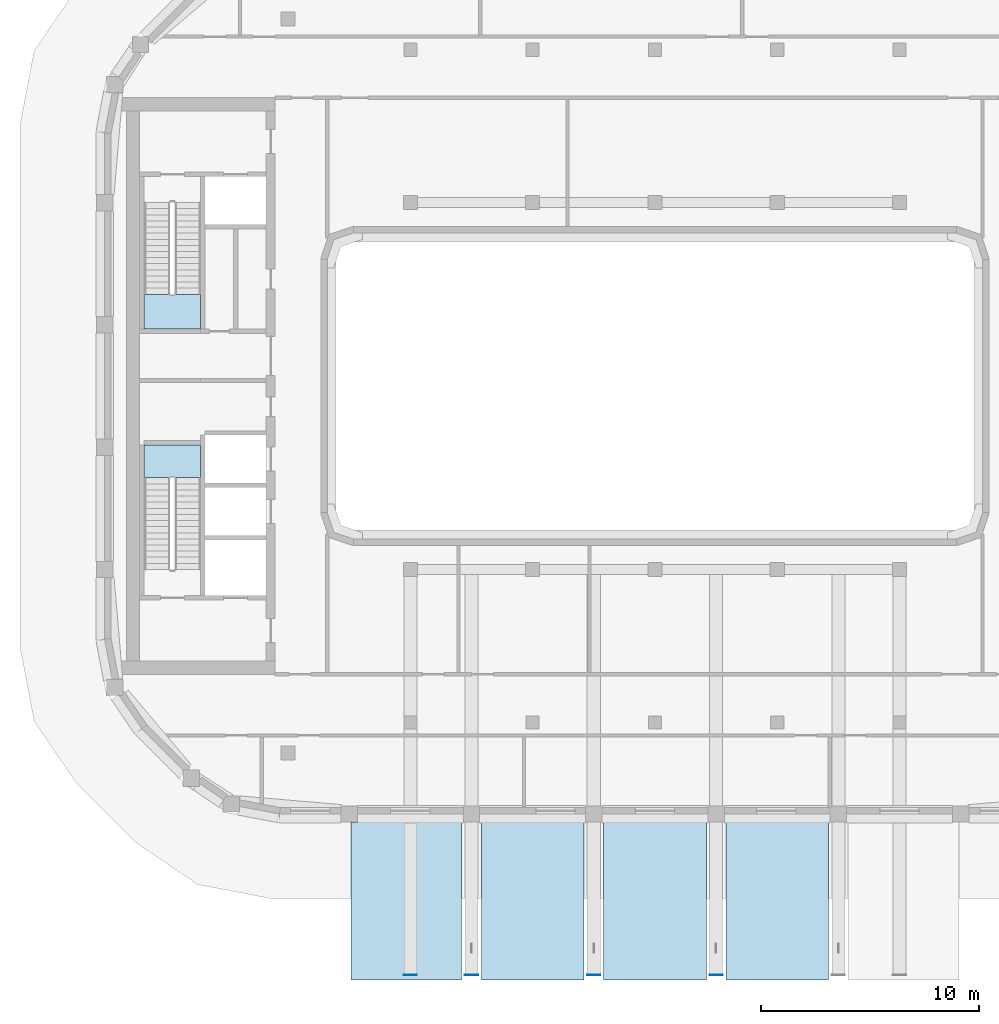
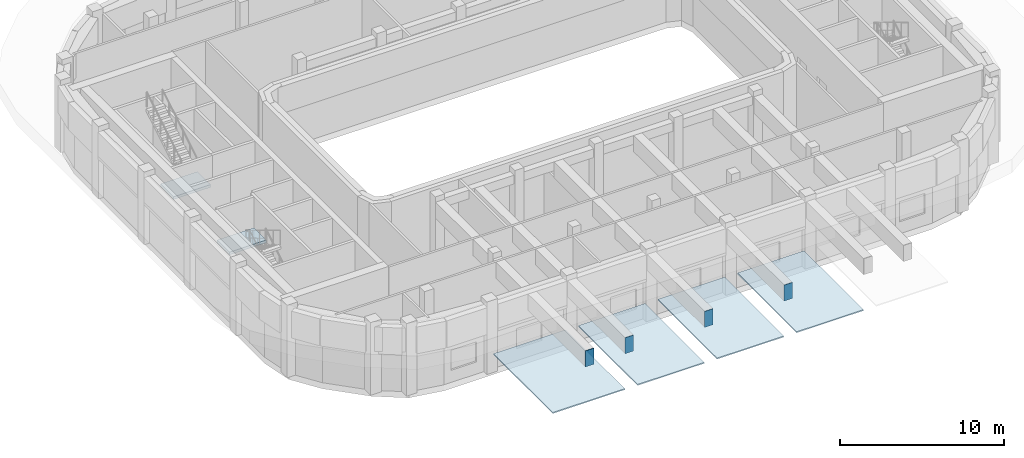
# One storey, part 2 of 17: 8 plates, 2 slabs, 2 elements without a shape of their own.
"""IFC4 building model written with IfcOpenShell, lengths in metres."""

from ifc_helpers import new_model, si_unit, direction, frame, origin, origin_2d, place, context, subcontext, project, spatial, polyline, rectangle, outline, extrude, material, layer, layer_set, type_object, element, aggregate, save


model = new_model("IFC4")

# Units and contexts
model_context = context("Model", 3, precision=1e-05, world=origin(), true_north=direction((0.0, 1.0)))
body_context = subcontext(model_context, "Body", "Model", "MODEL_VIEW")
ifc_project = project(units=[si_unit("LENGTHUNIT", "METRE"), si_unit("AREAUNIT", "SQUARE_METRE"), si_unit("VOLUMEUNIT", "CUBIC_METRE"), si_unit("PLANEANGLEUNIT", "RADIAN"), si_unit("MASSUNIT", "GRAM", prefix="KILO")], contexts=[model_context])

# Site, building, storey
site_placement = place(None, origin())
site = spatial("IfcSite", under=ifc_project, at=site_placement, CompositionType="ELEMENT")
building_placement = place(site_placement, origin())
building = spatial("IfcBuilding", under=site, at=building_placement, Name="Kiln Ring Residences", CompositionType="ELEMENT")
storey_placement = place(building_placement, frame((0.0, 0.0, 289.10009765625)))
storey = spatial("IfcBuildingStorey", under=building, at=storey_placement, Name="L75", CompositionType="ELEMENT", Elevation=289.10009765625)

# Stair, slab
ifc_material_1 = material(Name="Concrete C40/50", Category="concrete")
stair_type = type_object("IfcStairType", Name="CORE-STAIR", PredefinedType="HALF_TURN_STAIR", material=ifc_material_1)
placement_1 = place(storey_placement, origin())
stair_1 = element("IfcStair", 1, at=placement_1, inside=storey, type_object=stair_type, Name="L75 stair W-STN", PredefinedType="HALF_TURN_STAIR")
ifc_material_2 = material(Name="Concrete C40/50", Category="concrete")
ifc_layer_1 = layer(ifc_material_2, 0.199951171875)
ifc_layer_set_1 = layer_set([ifc_layer_1], Name="CORE-STAIR-LANDING")
slab_type = type_object("IfcSlabType", Name="CORE-STAIR-LANDING", PredefinedType="LANDING", material=ifc_layer_set_1)
placement_2 = place(storey_placement, frame((0.0, 0.0, 2.5)))
slab_1 = element("IfcSlab", 2, at=placement_2, type_object=slab_type, Name="W-STN landing 1", PredefinedType="LANDING", context=body_context, shape_type="SweptSolid", body=[
    extrude(outline(polyline([(-23.39990234375, 4.199951171875), (-23.39990234375, 2.60009765625), (-20.800048828125, 2.60009765625), (-20.800048828125, 4.199951171875), (-23.39990234375, 4.199951171875)])), origin(), (0.0, 0.0, 1.0), 0.199951171875),
])
aggregate(stair_1, [slab_1])

stair_2 = element("IfcStair", 3, at=placement_1, inside=storey, type_object=stair_type, Name="L75 stair W-STS", PredefinedType="HALF_TURN_STAIR")
slab_2 = element("IfcSlab", 4, at=placement_2, type_object=slab_type, Name="W-STS landing 1", PredefinedType="LANDING", context=body_context, shape_type="SweptSolid", body=[
    extrude(outline(polyline([(-20.800048828125, -4.199951171875), (-20.800048828125, -2.699951171875), (-23.39990234375, -2.699951171875), (-23.39990234375, -4.199951171875), (-20.800048828125, -4.199951171875)])), origin(), (0.0, 0.0, 1.0), 0.199951171875),
])
aggregate(stair_2, [slab_2])

# Plates
ifc_material_3 = material(Name="Steel S460", Category="steel")
ifc_layer_2 = layer(ifc_material_3, 0.030029296875)
ifc_layer_set_2 = layer_set([ifc_layer_2], Name="Cantilever girder end plate 30")
plate_type_1 = type_object("IfcPlateType", Name="Cantilever girder end plate 30", PredefinedType="SHEET", material=ifc_layer_set_2)
for number, where, z_axis, x_axis, name in (
    (5, (-11.199951171875, -26.965087890625, 3.7998046875), (0.0, 0.0, 1.0), (1.0, 0.0, 0.0), "Cantilever girder end plate L75 1"),
    (6, (-8.39990234375, -26.965087890625, 3.7998046875), (0.0, 0.0, 1.0), (1.0, 0.0, 0.0), "Cantilever girder end plate L75 2"),
    (7, (-2.800048828125, -26.965087890625, 3.7998046875), (0.0, 0.0, 1.0), (1.0, 0.0, 0.0), "Cantilever girder end plate L75 3"),
    (8, (2.800048828125, -26.965087890625, 3.7998046875), (0.0, 0.0, 1.0), (1.0, 0.0, 0.0), "Cantilever girder end plate L75 4"),
):
    element("IfcPlate", number, at=place(storey_placement, frame(where, z_axis=z_axis, x_axis=x_axis)), inside=storey, type_object=plate_type_1, Name=name, PredefinedType="SHEET", context=body_context, shape_type="SweptSolid", body=[
        extrude(rectangle(XDim=0.60009765625, YDim=0.030029296875, at=origin_2d()), origin(), (0.0, 0.0, 1.0), 1.199951171875),
    ])
ifc_material_4 = material(Name="Glass, laminated structural, light blue tint", Category="glass")
ifc_layer_3 = layer(ifc_material_4, 0.080078125)
ifc_layer_set_3 = layer_set([ifc_layer_3], Name="SKY POOL TANK SKIRT 80")
plate_type_2 = type_object("IfcPlateType", Name="SKY POOL TANK SKIRT 80", PredefinedType="SHEET", material=ifc_layer_set_3)
plate_placement = place(storey_placement, frame((-11.385009765625, -23.58740234375, 1.31982421875), z_axis=(0.0, 0.0, 1.0), x_axis=(1.0, 0.0, 0.0)))
element("IfcPlate", 9, at=plate_placement, inside=storey, type_object=plate_type_2, Name="SKY POOL TANK FLOOR 1", PredefinedType="SHEET", context=body_context, shape_type="SweptSolid", body=[
    extrude(rectangle(XDim=5.070068359375, YDim=7.22509765625, at=origin_2d()), origin(), (0.0, 0.0, 1.0), 0.080078125),
])
for number, where, z_axis, x_axis, name in (
    (10, (-5.60009765625, -23.58740234375, 1.31982421875), (0.0, 0.0, 1.0), (1.0, 0.0, 0.0), "SKY POOL TANK FLOOR 2"),
    (11, (0.0, -23.58740234375, 1.31982421875), (0.0, 0.0, 1.0), (1.0, 0.0, 0.0), "SKY POOL TANK FLOOR 3"),
    (12, (5.60009765625, -23.58740234375, 1.31982421875), (0.0, 0.0, 1.0), (1.0, 0.0, 0.0), "SKY POOL TANK FLOOR 4"),
):
    element("IfcPlate", number, at=place(storey_placement, frame(where, z_axis=z_axis, x_axis=x_axis)), inside=storey, type_object=plate_type_2, Name=name, PredefinedType="SHEET", context=body_context, shape_type="SweptSolid", body=[
        extrude(rectangle(XDim=4.699951171875, YDim=7.22509765625, at=origin_2d()), origin(), (0.0, 0.0, 1.0), 0.080078125),
    ])

save(model, "model.ifc")
